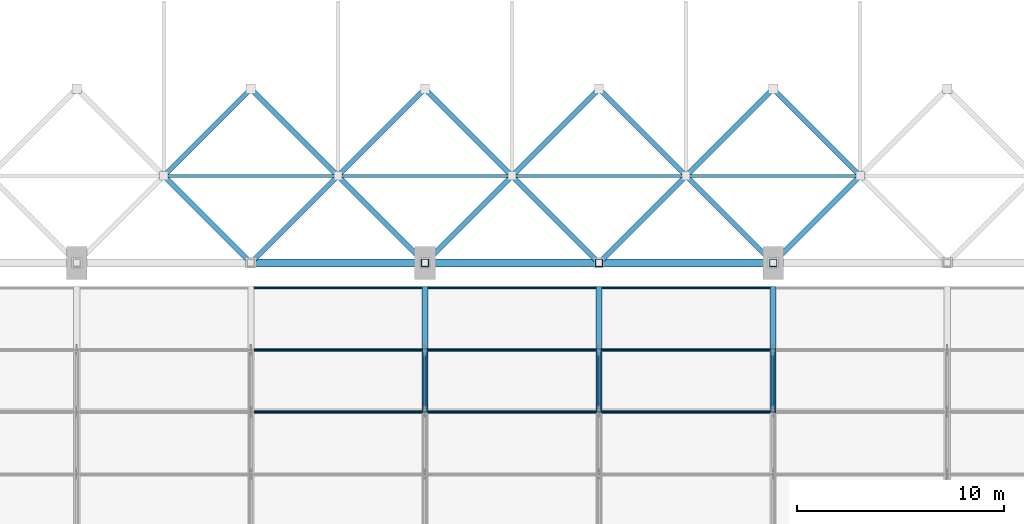
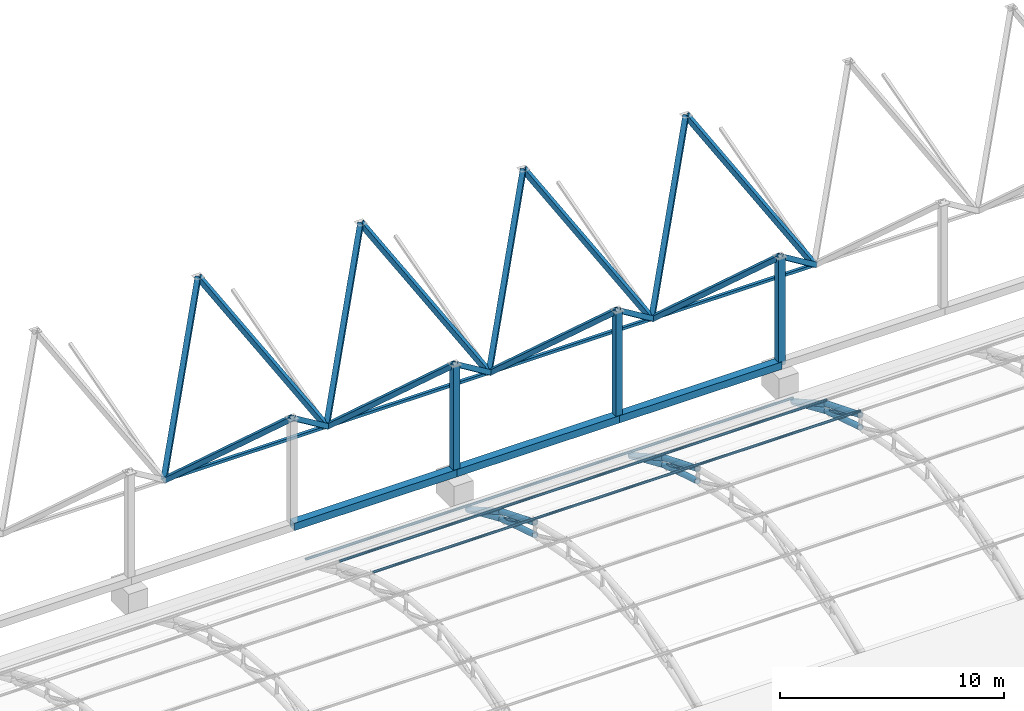
# One storey, part 16 of 163: 50 members.
"""IFC4 building model written with IfcOpenShell, lengths in metres."""

import ifcopenshell
import ifcopenshell.guid

model = None  # the IFC model being written
_history = None  # IfcOwnerHistory: only IFC2X3 demands one
_inside = {}  # id of a spatial element -> (the spatial element, [elements in it])
_under = {}  # id of a project, library or spatial element -> (it, [spatial elements below it])
_declared = {}  # id of a project -> (the project, [libraries it declares])
_typed = {}  # id of a type object -> (the type object, [elements of that type])
_made_of = {}  # id of a material, layer set ... -> (it, [elements and type objects made of it])


def new_model(schema):
    """Start an empty IFC model of exactly this schema.

    Asked for "IFC4X3", IfcOpenShell would pick the latest addendum, in which some entities
    have other attributes; the version numbers below select the first issue.
    IFC2X3 requires an IfcOwnerHistory on every rooted entity: one is made here for all.
    """
    global model, _history
    if schema == "IFC4X3":
        model = ifcopenshell.file(schema_version=(4, 3, 0, 0))
    else:
        model = ifcopenshell.file(schema=schema)
    _inside.clear()
    _under.clear()
    _declared.clear()
    _typed.clear()
    _made_of.clear()
    _history = None
    if model.schema == "IFC2X3":
        org = make("IfcOrganization", Name="unknown")
        user = make(
            "IfcPersonAndOrganization",
            ThePerson=make("IfcPerson", FamilyName="unknown"),
            TheOrganization=org,
        )
        app = make(
            "IfcApplication",
            ApplicationDeveloper=org,
            Version="unknown",
            ApplicationFullName="unknown",
            ApplicationIdentifier="unknown",
        )
        _history = make(
            "IfcOwnerHistory",
            OwningUser=user,
            OwningApplication=app,
            ChangeAction="ADDED",
            CreationDate=0,
        )
    return model


def make(cls, **values):
    """One entity of the class cls with the attributes given. An attribute that is None is left unset."""
    return model.create_entity(
        cls, **{name: value for name, value in values.items() if value is not None}
    )


def rooted(cls, **values):
    """An entity with a GlobalId (a new one), such as an element, a storey or a relation."""
    return make(cls, GlobalId=ifcopenshell.guid.new(), OwnerHistory=_history, **values)


def si_unit(unit_type, name, prefix=None):
    """IfcSIUnit, for example si_unit("LENGTHUNIT", "METRE", prefix="MILLI")."""
    return make("IfcSIUnit", UnitType=unit_type, Prefix=prefix, Name=name)


def assignment(units):
    """IfcUnitAssignment: the units of a project."""
    return None if units is None else make("IfcUnitAssignment", Units=units)


def point(xyz):
    """IfcCartesianPoint."""
    return None if xyz is None else make("IfcCartesianPoint", Coordinates=xyz)


def direction(xyz):
    """IfcDirection."""
    return None if xyz is None else make("IfcDirection", DirectionRatios=xyz)


def frame(location, z_axis=None, x_axis=None):
    """IfcAxis2Placement3D, a coordinate frame: its origin and axes. An axis left out is left unset."""
    return make(
        "IfcAxis2Placement3D",
        Location=point(location),
        Axis=direction(z_axis),
        RefDirection=direction(x_axis),
    )


def frame_2d(location, x_axis=None):
    """IfcAxis2Placement2D, a coordinate frame in the plane: its origin and x axis."""
    return make(
        "IfcAxis2Placement2D", Location=point(location), RefDirection=direction(x_axis)
    )


def origin():
    """The frame at (0, 0, 0) with its axes left unset."""
    return frame((0.0, 0.0, 0.0))


def origin_2d():
    """The frame at (0, 0) in the plane with its x axis left unset."""
    return frame_2d((0.0, 0.0))


def place(relative_to, where):
    """IfcLocalPlacement: puts the frame where relative to a parent placement (None: the world)."""
    return make(
        "IfcLocalPlacement", PlacementRelTo=relative_to, RelativePlacement=where
    )


def context(
    kind, dimensions, precision=None, world=None, true_north=None, identifier=None
):
    """IfcGeometricRepresentationContext, for example the 3D "Model" context."""
    return make(
        "IfcGeometricRepresentationContext",
        ContextIdentifier=identifier,
        ContextType=kind,
        CoordinateSpaceDimension=dimensions,
        Precision=precision,
        WorldCoordinateSystem=world,
        TrueNorth=true_north,
    )


def subcontext(parent, identifier, kind, view, scale=None):
    """IfcGeometricRepresentationSubContext, for example "Body" below "Model"."""
    return make(
        "IfcGeometricRepresentationSubContext",
        ContextIdentifier=identifier,
        ContextType=kind,
        ParentContext=parent,
        TargetScale=scale,
        TargetView=view,
    )


def project(units=None, contexts=None):
    """IfcProject with its units and contexts."""
    return rooted(
        "IfcProject",
        Name="project",
        RepresentationContexts=contexts,
        UnitsInContext=assignment(units),
    )


def spatial(cls, under=None, at=None, **own):
    """A site, building, storey or space (cls), placed at a placement, below another one or the project."""
    s = rooted(cls, ObjectPlacement=at, **own)
    if under is not None:
        _under.setdefault(under.id(), (under, []))[1].append(s)
    return s


def profile(cls, at=None, kind="AREA", **sizes):
    """A parametric profile (cls). Its sizes go by their IFC names, for example OverallWidth=200.0."""
    return make(cls, ProfileType=kind, Position=at, **sizes)


def hollow_rectangle(**sizes):
    """IfcRectangleHollowProfileDef."""
    return profile("IfcRectangleHollowProfileDef", **sizes)


def hollow_circle(**sizes):
    """IfcCircleHollowProfileDef."""
    return profile("IfcCircleHollowProfileDef", **sizes)


def extrude(swept, where, along, depth):
    """IfcExtrudedAreaSolid: the profile swept, set in the frame where, extruded along a direction by depth."""
    return make(
        "IfcExtrudedAreaSolid",
        SweptArea=swept,
        Position=where,
        ExtrudedDirection=direction(along),
        Depth=depth,
    )


def shape(context_of_items, identifier, shape_type, items):
    """IfcShapeRepresentation: the items that make up one representation, for example the "Body"."""
    return make(
        "IfcShapeRepresentation",
        ContextOfItems=context_of_items,
        RepresentationIdentifier=identifier,
        RepresentationType=shape_type,
        Items=items,
    )


def material(Name=None, Category=None):
    """IfcMaterial."""
    return make("IfcMaterial", Name=Name, Category=Category)


def material_profile(
    of_material, cross_section, Name=None, Category=None, Priority=None
):
    """IfcMaterialProfile: a cross section and its material."""
    return make(
        "IfcMaterialProfile",
        Name=Name,
        Material=of_material,
        Profile=cross_section,
        Priority=Priority,
        Category=Category,
    )


def profile_set(profiles, Name=None, composite=None):
    """IfcMaterialProfileSet."""
    return make(
        "IfcMaterialProfileSet",
        Name=Name,
        MaterialProfiles=profiles,
        CompositeProfile=composite,
    )


def made_of(thing, what):
    """Note that an element or type object is made of a material, layer set ...; save() writes the relation."""
    if what is not None:
        _made_of.setdefault(what.id(), (what, []))[1].append(thing)
    return thing


def type_object(cls, material=None, **own):
    """A type object (cls), such as IfcWallType, which elements share."""
    return made_of(rooted(cls, **own), material)


def element(
    cls,
    number,
    at=None,
    inside=None,
    cuts=None,
    type_object=None,
    material=None,
    context=None,
    identifier="Body",
    shape_type=None,
    held_by="IfcProductDefinitionShape",
    body=None,
    shapes=None,
    **own,
):
    """One element of the class cls, such as IfcWall. Its Tag is "e" and its number.

    at: its placement. inside: the storey or other place that contains it. cuts: it is an
    opening in that element (IfcRelVoidsElement). A single representation is given by context,
    identifier, shape_type and body (its items); several are given by shapes. held_by: the class
    of the entity that holds the representations. save() writes the other relations.
    """
    e = rooted(cls, Tag="e%d" % number, ObjectPlacement=at, **own)
    if body is not None:
        shapes = [shape(context, identifier, shape_type, body)]
    if shapes is not None:
        e.Representation = make(held_by, Representations=shapes)
    if inside is not None:
        _inside.setdefault(inside.id(), (inside, []))[1].append(e)
    if cuts is not None:
        rooted(
            "IfcRelVoidsElement", RelatingBuildingElement=cuts, RelatedOpeningElement=e
        )
    if type_object is not None:
        _typed.setdefault(type_object.id(), (type_object, []))[1].append(e)
    return made_of(e, material)


def aggregate(whole, parts):
    """IfcRelAggregates: a whole, such as a stair, and the parts it consists of."""
    return rooted("IfcRelAggregates", RelatingObject=whole, RelatedObjects=parts)


def save(model, path):
    """Write the relations noted so far, then the file.

    IfcRelAggregates (storeys below a building ...), IfcRelContainedInSpatialStructure (elements
    in a storey), IfcRelDefinesByType, IfcRelAssociatesMaterial and IfcRelDeclares: one each for
    every whole, place, type object, material and project.
    """
    for whole, parts in _under.values():
        aggregate(whole, parts)
    for where, things in _inside.values():
        rooted(
            "IfcRelContainedInSpatialStructure",
            RelatedElements=things,
            RelatingStructure=where,
        )
    for kind, things in _typed.values():
        rooted("IfcRelDefinesByType", RelatedObjects=things, RelatingType=kind)
    for what, things in _made_of.values():
        rooted("IfcRelAssociatesMaterial", RelatedObjects=things, RelatingMaterial=what)
    for by, libraries in _declared.values():
        rooted("IfcRelDeclares", RelatingContext=by, RelatedDefinitions=libraries)
    model.write(path)


model = new_model("IFC4")

# Units and contexts
model_context = context("Model", 3, precision=1e-05, world=origin(), true_north=direction((0.0, 1.0)))
body_context = subcontext(model_context, "Body", "Model", "MODEL_VIEW")
ifc_project = project(units=[si_unit("LENGTHUNIT", "METRE"), si_unit("AREAUNIT", "SQUARE_METRE"), si_unit("VOLUMEUNIT", "CUBIC_METRE"), si_unit("PLANEANGLEUNIT", "RADIAN"), si_unit("MASSUNIT", "GRAM", prefix="KILO")], contexts=[model_context])

# Site, building, storey
site_placement = place(None, origin())
site = spatial("IfcSite", under=ifc_project, at=site_placement, CompositionType="ELEMENT")
building_placement = place(site_placement, origin())
building = spatial("IfcBuilding", under=site, at=building_placement, Name="Rain Tree Exposition and Congress Centre", CompositionType="ELEMENT")
storey_placement = place(building_placement, frame((0.0, 0.0, 10.5)))
storey = spatial("IfcBuildingStorey", under=building, at=storey_placement, Name="L02", CompositionType="ELEMENT", Elevation=10.5)

# Members
ifc_material_1 = material(Name="Steel S355J2H", Category="steel")
ifc_material_profile_1 = material_profile(ifc_material_1, hollow_circle(Radius=0.090087890625, WallThickness=0.008056640625, at=origin_2d()), Name="CHS 180x8")
ifc_profile_set_1 = profile_set([ifc_material_profile_1], Name="Steel S355J2H")
member_type_1 = type_object("IfcMemberType", Name="Steel brace member CHS 180x8", PredefinedType="BRACE", material=ifc_profile_set_1)
for number, where, z_axis, x_axis, name in (
    (1, (42.0, 96.60009765625, 1.4423828125), (0.0, -0.880818418444, 0.473454236151), (1.0, 0.0, 0.0), "Roof truss 6 diagonal 6"),
    (2, (50.39990234375, 96.60009765625, 1.4423828125), (0.0, -0.880818418444, 0.473454236151), (1.0, 0.0, 0.0), "Roof truss 7 diagonal 6"),
    (3, (58.800048828125, 96.60009765625, 1.4423828125), (0.0, -0.880818418444, 0.473454236151), (1.0, 0.0, 0.0), "Roof truss 8 diagonal 6"),
):
    element("IfcMember", number, at=place(storey_placement, frame(where, z_axis=z_axis, x_axis=x_axis)), inside=storey, type_object=member_type_1, Name=name, PredefinedType="BRACE", context=body_context, shape_type="SweptSolid", body=[
        extrude(hollow_circle(Radius=0.090087890625, WallThickness=0.008056640625, at=origin_2d()), origin(), (0.0, 0.0, 1.0), 3.406005859375),
    ])
ifc_material_2 = material(Name="Steel S355J2H", Category="steel")
ifc_material_profile_2 = material_profile(ifc_material_2, hollow_rectangle(XDim=0.25, YDim=0.25, WallThickness=0.006103515625, at=origin_2d()), Name="RHS 250x250x6")
ifc_profile_set_2 = profile_set([ifc_material_profile_2], Name="Steel S355J2H")
member_type_2 = type_object("IfcMemberType", Name="Steel brace member RHS 250x250x6", PredefinedType="BRACE", material=ifc_profile_set_2)
member_1_placement = place(storey_placement, frame((29.39990234375, 105.0, 2.87353515625), z_axis=(0.564709499992, -0.564676675678, 0.601866623567), x_axis=(0.70708622964, 0.707127332136, 0.0)))
element("IfcMember", 4, at=member_1_placement, inside=storey, type_object=member_type_2, Name="Diagonal 376", PredefinedType="BRACE", context=body_context, shape_type="SweptSolid", body=[
    extrude(hollow_rectangle(XDim=0.25, YDim=0.25, WallThickness=0.006103515625, at=origin_2d()), origin(), (0.0, 0.0, 1.0), 7.437744140625),
])
member_2_placement = place(storey_placement, frame((29.39990234375, 105.0, 2.87353515625), z_axis=(0.453987384881, 0.453960996403, 0.766690855635), x_axis=(-0.70708622964, 0.707127332136, 0.0)))
element("IfcMember", 5, at=member_2_placement, inside=storey, type_object=member_type_2, Name="Diagonal 378", PredefinedType="BRACE", context=body_context, shape_type="SweptSolid", body=[
    extrude(hollow_rectangle(XDim=0.25, YDim=0.25, WallThickness=0.006103515625, at=origin_2d()), origin(), (0.0, 0.0, 1.0), 9.251708984375),
])
for number, where, z_axis, x_axis, name in (
    (6, (37.800048828125, 105.0, 2.87353515625), (-0.564687142626, -0.564687142626, 0.601877779875), (0.707106781187, -0.707106781187, 0.0), "Diagonal 381"),
    (7, (37.800048828125, 105.0, 2.87353515625), (0.564687142626, -0.564687142626, 0.601877779875), (0.707106781187, 0.707106781187, 0.0), "Diagonal 382"),
):
    element("IfcMember", number, at=place(storey_placement, frame(where, z_axis=z_axis, x_axis=x_axis)), inside=storey, type_object=member_type_2, Name=name, PredefinedType="BRACE", context=body_context, shape_type="SweptSolid", body=[
        extrude(hollow_rectangle(XDim=0.25, YDim=0.25, WallThickness=0.006103515625, at=origin_2d()), origin(), (0.0, 0.0, 1.0), 7.437744140625),
    ])
for number, where, z_axis, x_axis, name in (
    (8, (37.800048828125, 105.0, 2.87353515625), (-0.453966434812, 0.453966434812, 0.766700040517), (-0.707106781187, -0.707106781187, 0.0), "Diagonal 383"),
    (9, (37.800048828125, 105.0, 2.87353515625), (0.453966434812, 0.453966434812, 0.766700040517), (-0.707106781187, 0.707106781187, 0.0), "Diagonal 384"),
):
    element("IfcMember", number, at=place(storey_placement, frame(where, z_axis=z_axis, x_axis=x_axis)), inside=storey, type_object=member_type_2, Name=name, PredefinedType="BRACE", context=body_context, shape_type="SweptSolid", body=[
        extrude(hollow_rectangle(XDim=0.25, YDim=0.25, WallThickness=0.006103515625, at=origin_2d()), origin(), (0.0, 0.0, 1.0), 9.251708984375),
    ])
for number, where, z_axis, x_axis, name in (
    (10, (46.199951171875, 105.0, 2.87353515625), (-0.564687142626, -0.564687142626, 0.601877779875), (0.707106781187, -0.707106781187, 0.0), "Diagonal 387"),
    (11, (46.199951171875, 105.0, 2.87353515625), (0.564687142626, -0.564687142626, 0.601877779875), (0.707106781187, 0.707106781187, 0.0), "Diagonal 388"),
):
    element("IfcMember", number, at=place(storey_placement, frame(where, z_axis=z_axis, x_axis=x_axis)), inside=storey, type_object=member_type_2, Name=name, PredefinedType="BRACE", context=body_context, shape_type="SweptSolid", body=[
        extrude(hollow_rectangle(XDim=0.25, YDim=0.25, WallThickness=0.006103515625, at=origin_2d()), origin(), (0.0, 0.0, 1.0), 7.437744140625),
    ])
for number, where, z_axis, x_axis, name in (
    (12, (46.199951171875, 105.0, 2.87353515625), (-0.453966434812, 0.453966434812, 0.766700040517), (-0.707106781187, -0.707106781187, 0.0), "Diagonal 389"),
    (13, (46.199951171875, 105.0, 2.87353515625), (0.453966434812, 0.453966434812, 0.766700040517), (-0.707106781187, 0.707106781187, 0.0), "Diagonal 390"),
):
    element("IfcMember", number, at=place(storey_placement, frame(where, z_axis=z_axis, x_axis=x_axis)), inside=storey, type_object=member_type_2, Name=name, PredefinedType="BRACE", context=body_context, shape_type="SweptSolid", body=[
        extrude(hollow_rectangle(XDim=0.25, YDim=0.25, WallThickness=0.006103515625, at=origin_2d()), origin(), (0.0, 0.0, 1.0), 9.251708984375),
    ])
for number, where, z_axis, x_axis, name in (
    (14, (54.60009765625, 105.0, 2.87353515625), (-0.564709499992, -0.564676675678, 0.601866623567), (0.70708622964, -0.707127332136, 0.0), "Diagonal 393"),
    (15, (54.60009765625, 105.0, 2.87353515625), (0.564687142626, -0.564687142626, 0.601877779875), (0.707106781187, 0.707106781187, 0.0), "Diagonal 394"),
):
    element("IfcMember", number, at=place(storey_placement, frame(where, z_axis=z_axis, x_axis=x_axis)), inside=storey, type_object=member_type_2, Name=name, PredefinedType="BRACE", context=body_context, shape_type="SweptSolid", body=[
        extrude(hollow_rectangle(XDim=0.25, YDim=0.25, WallThickness=0.006103515625, at=origin_2d()), origin(), (0.0, 0.0, 1.0), 7.437744140625),
    ])
for number, where, z_axis, x_axis, name in (
    (16, (54.60009765625, 105.0, 2.87353515625), (-0.453987384881, 0.453960996403, 0.766690855635), (-0.70708622964, -0.707127332136, 0.0), "Diagonal 395"),
    (17, (54.60009765625, 105.0, 2.87353515625), (0.453966434812, 0.453966434812, 0.766700040517), (-0.707106781187, 0.707106781187, 0.0), "Diagonal 396"),
):
    element("IfcMember", number, at=place(storey_placement, frame(where, z_axis=z_axis, x_axis=x_axis)), inside=storey, type_object=member_type_2, Name=name, PredefinedType="BRACE", context=body_context, shape_type="SweptSolid", body=[
        extrude(hollow_rectangle(XDim=0.25, YDim=0.25, WallThickness=0.006103515625, at=origin_2d()), origin(), (0.0, 0.0, 1.0), 9.251708984375),
    ])
member_3_placement = place(storey_placement, frame((63.0, 105.0, 2.87353515625), z_axis=(-0.564687142626, -0.564687142626, 0.601877779875), x_axis=(0.707106781187, -0.707106781187, 0.0)))
element("IfcMember", 18, at=member_3_placement, inside=storey, type_object=member_type_2, Name="Diagonal 399", PredefinedType="BRACE", context=body_context, shape_type="SweptSolid", body=[
    extrude(hollow_rectangle(XDim=0.25, YDim=0.25, WallThickness=0.006103515625, at=origin_2d()), origin(), (0.0, 0.0, 1.0), 7.437744140625),
])
member_4_placement = place(storey_placement, frame((63.0, 105.0, 2.87353515625), z_axis=(-0.453966434812, 0.453966434812, 0.766700040517), x_axis=(-0.707106781187, -0.707106781187, 0.0)))
element("IfcMember", 19, at=member_4_placement, inside=storey, type_object=member_type_2, Name="Diagonal 401", PredefinedType="BRACE", context=body_context, shape_type="SweptSolid", body=[
    extrude(hollow_rectangle(XDim=0.25, YDim=0.25, WallThickness=0.006103515625, at=origin_2d()), origin(), (0.0, 0.0, 1.0), 9.251708984375),
])
ifc_material_3 = material(Name="Steel S355J2H", Category="steel")
ifc_material_profile_3 = material_profile(ifc_material_3, hollow_circle(Radius=0.14990234375, WallThickness=0.013916015625, at=origin_2d()), Name="CHS 300x14")
ifc_profile_set_3 = profile_set([ifc_material_profile_3], Name="Steel S355J2H")
member_type_3 = type_object("IfcMemberType", Name="Steel chord member CHS 300x14", PredefinedType="CHORD", material=ifc_profile_set_3)
member_5_placement = place(storey_placement, frame((42.0, 93.60009765625, 3.054931640625), z_axis=(0.0, 0.926466577122, -0.376377046956), x_axis=(-1.0, 0.0, 0.0)))
element("IfcMember", 20, at=member_5_placement, inside=storey, type_object=member_type_3, Name="Roof truss 6 top chord 7", PredefinedType="CHORD", context=body_context, shape_type="SweptSolid", body=[
    extrude(hollow_circle(Radius=0.14990234375, WallThickness=0.013916015625, at=origin_2d()), origin(), (0.0, 0.0, 1.0), 3.238037109375),
])
member_6_placement = place(storey_placement, frame((42.0, 93.60009765625, 2.3798828125), z_axis=(0.0, 0.954479978035, -0.298274993136), x_axis=(-1.0, 0.0, 0.0)))
element("IfcMember", 21, at=member_6_placement, inside=storey, type_object=member_type_3, Name="Roof truss 6 bottom chord 7", PredefinedType="CHORD", context=body_context, shape_type="SweptSolid", body=[
    extrude(hollow_circle(Radius=0.14990234375, WallThickness=0.013916015625, at=origin_2d()), origin(), (0.0, 0.0, 1.0), 3.14306640625),
])
member_7_placement = place(storey_placement, frame((42.0, 96.60009765625, 1.836181640625), z_axis=(0.0, 0.869238262324, -0.494393409455), x_axis=(-1.0, 0.0, 0.0)))
element("IfcMember", 22, at=member_7_placement, inside=storey, type_object=member_type_3, Name="Roof truss 6 top chord 8", PredefinedType="CHORD", context=body_context, shape_type="SweptSolid", body=[
    extrude(hollow_circle(Radius=0.14990234375, WallThickness=0.013916015625, at=origin_2d()), origin(), (0.0, 0.0, 1.0), 3.451416015625),
])
member_8_placement = place(storey_placement, frame((42.0, 96.60009765625, 1.4423828125), z_axis=(0.0, 0.916157334902, -0.40081883402), x_axis=(-1.0, 0.0, 0.0)))
element("IfcMember", 23, at=member_8_placement, inside=storey, type_object=member_type_3, Name="Roof truss 6 bottom chord 8", PredefinedType="CHORD", context=body_context, shape_type="SweptSolid", body=[
    extrude(hollow_circle(Radius=0.14990234375, WallThickness=0.013916015625, at=origin_2d()), origin(), (0.0, 0.0, 1.0), 3.274658203125),
])
member_9_placement = place(storey_placement, frame((50.39990234375, 93.60009765625, 3.054931640625), z_axis=(0.0, 0.926466577122, -0.376377046956), x_axis=(-1.0, 0.0, 0.0)))
element("IfcMember", 24, at=member_9_placement, inside=storey, type_object=member_type_3, Name="Roof truss 7 top chord 7", PredefinedType="CHORD", context=body_context, shape_type="SweptSolid", body=[
    extrude(hollow_circle(Radius=0.14990234375, WallThickness=0.013916015625, at=origin_2d()), origin(), (0.0, 0.0, 1.0), 3.238037109375),
])
member_10_placement = place(storey_placement, frame((50.39990234375, 93.60009765625, 2.3798828125), z_axis=(0.0, 0.954479978035, -0.298274993136), x_axis=(-1.0, 0.0, 0.0)))
element("IfcMember", 25, at=member_10_placement, inside=storey, type_object=member_type_3, Name="Roof truss 7 bottom chord 7", PredefinedType="CHORD", context=body_context, shape_type="SweptSolid", body=[
    extrude(hollow_circle(Radius=0.14990234375, WallThickness=0.013916015625, at=origin_2d()), origin(), (0.0, 0.0, 1.0), 3.14306640625),
])
member_11_placement = place(storey_placement, frame((50.39990234375, 96.60009765625, 1.836181640625), z_axis=(0.0, 0.869238262324, -0.494393409455), x_axis=(-1.0, 0.0, 0.0)))
element("IfcMember", 26, at=member_11_placement, inside=storey, type_object=member_type_3, Name="Roof truss 7 top chord 8", PredefinedType="CHORD", context=body_context, shape_type="SweptSolid", body=[
    extrude(hollow_circle(Radius=0.14990234375, WallThickness=0.013916015625, at=origin_2d()), origin(), (0.0, 0.0, 1.0), 3.451416015625),
])
member_12_placement = place(storey_placement, frame((50.39990234375, 96.60009765625, 1.4423828125), z_axis=(0.0, 0.916157334902, -0.40081883402), x_axis=(-1.0, 0.0, 0.0)))
element("IfcMember", 27, at=member_12_placement, inside=storey, type_object=member_type_3, Name="Roof truss 7 bottom chord 8", PredefinedType="CHORD", context=body_context, shape_type="SweptSolid", body=[
    extrude(hollow_circle(Radius=0.14990234375, WallThickness=0.013916015625, at=origin_2d()), origin(), (0.0, 0.0, 1.0), 3.274658203125),
])
member_13_placement = place(storey_placement, frame((58.800048828125, 93.60009765625, 3.054931640625), z_axis=(0.0, 0.926466577122, -0.376377046956), x_axis=(-1.0, 0.0, 0.0)))
element("IfcMember", 28, at=member_13_placement, inside=storey, type_object=member_type_3, Name="Roof truss 8 top chord 7", PredefinedType="CHORD", context=body_context, shape_type="SweptSolid", body=[
    extrude(hollow_circle(Radius=0.14990234375, WallThickness=0.013916015625, at=origin_2d()), origin(), (0.0, 0.0, 1.0), 3.238037109375),
])
member_14_placement = place(storey_placement, frame((58.800048828125, 93.60009765625, 2.3798828125), z_axis=(0.0, 0.954479978035, -0.298274993136), x_axis=(-1.0, 0.0, 0.0)))
element("IfcMember", 29, at=member_14_placement, inside=storey, type_object=member_type_3, Name="Roof truss 8 bottom chord 7", PredefinedType="CHORD", context=body_context, shape_type="SweptSolid", body=[
    extrude(hollow_circle(Radius=0.14990234375, WallThickness=0.013916015625, at=origin_2d()), origin(), (0.0, 0.0, 1.0), 3.14306640625),
])
member_15_placement = place(storey_placement, frame((58.800048828125, 96.60009765625, 1.836181640625), z_axis=(0.0, 0.869238262324, -0.494393409455), x_axis=(-1.0, 0.0, 0.0)))
element("IfcMember", 30, at=member_15_placement, inside=storey, type_object=member_type_3, Name="Roof truss 8 top chord 8", PredefinedType="CHORD", context=body_context, shape_type="SweptSolid", body=[
    extrude(hollow_circle(Radius=0.14990234375, WallThickness=0.013916015625, at=origin_2d()), origin(), (0.0, 0.0, 1.0), 3.451416015625),
])
member_16_placement = place(storey_placement, frame((58.800048828125, 96.60009765625, 1.4423828125), z_axis=(0.0, 0.916157334902, -0.40081883402), x_axis=(-1.0, 0.0, 0.0)))
element("IfcMember", 31, at=member_16_placement, inside=storey, type_object=member_type_3, Name="Roof truss 8 bottom chord 8", PredefinedType="CHORD", context=body_context, shape_type="SweptSolid", body=[
    extrude(hollow_circle(Radius=0.14990234375, WallThickness=0.013916015625, at=origin_2d()), origin(), (0.0, 0.0, 1.0), 3.274658203125),
])
ifc_material_4 = material(Name="Steel S355J2H", Category="steel")
ifc_material_profile_4 = material_profile(ifc_material_4, hollow_rectangle(XDim=0.14990234375, YDim=0.14990234375, WallThickness=0.00439453125, at=origin_2d()), Name="RHS 150x150x4.5")
ifc_profile_set_4 = profile_set([ifc_material_profile_4], Name="Steel S355J2H")
member_type_4 = type_object("IfcMemberType", Name="Steel chord member RHS 150x150x4.5", PredefinedType="CHORD", material=ifc_profile_set_4)
member_17_placement = place(storey_placement, frame((29.39990234375, 105.0, 2.87353515625), z_axis=(1.0, 0.0, 0.0), x_axis=(0.0, 1.0, 0.0)))
element("IfcMember", 32, at=member_17_placement, inside=storey, type_object=member_type_4, Name="Bottom chord 379", PredefinedType="CHORD", context=body_context, shape_type="SweptSolid", body=[
    extrude(hollow_rectangle(XDim=0.14990234375, YDim=0.14990234375, WallThickness=0.00439453125, at=origin_2d()), origin(), (0.0, 0.0, 1.0), 8.400146484375),
])
member_18_placement = place(storey_placement, frame((37.800048828125, 105.0, 2.87353515625), z_axis=(1.0, 0.0, 0.0), x_axis=(0.0, 1.0, 0.0)))
element("IfcMember", 33, at=member_18_placement, inside=storey, type_object=member_type_4, Name="Bottom chord 385", PredefinedType="CHORD", context=body_context, shape_type="SweptSolid", body=[
    extrude(hollow_rectangle(XDim=0.14990234375, YDim=0.14990234375, WallThickness=0.00439453125, at=origin_2d()), origin(), (0.0, 0.0, 1.0), 8.39990234375),
])
member_19_placement = place(storey_placement, frame((46.199951171875, 105.0, 2.87353515625), z_axis=(1.0, 0.0, 0.0), x_axis=(0.0, 1.0, 0.0)))
element("IfcMember", 34, at=member_19_placement, inside=storey, type_object=member_type_4, Name="Bottom chord 391", PredefinedType="CHORD", context=body_context, shape_type="SweptSolid", body=[
    extrude(hollow_rectangle(XDim=0.14990234375, YDim=0.14990234375, WallThickness=0.00439453125, at=origin_2d()), origin(), (0.0, 0.0, 1.0), 8.400146484375),
])
member_20_placement = place(storey_placement, frame((54.60009765625, 105.0, 2.87353515625), z_axis=(1.0, 0.0, 0.0), x_axis=(0.0, 1.0, 0.0)))
element("IfcMember", 35, at=member_20_placement, inside=storey, type_object=member_type_4, Name="Bottom chord 397", PredefinedType="CHORD", context=body_context, shape_type="SweptSolid", body=[
    extrude(hollow_rectangle(XDim=0.14990234375, YDim=0.14990234375, WallThickness=0.00439453125, at=origin_2d()), origin(), (0.0, 0.0, 1.0), 8.39990234375),
])
ifc_material_5 = material(Name="Steel S355J2H", Category="steel")
ifc_material_profile_5 = material_profile(ifc_material_5, hollow_rectangle(XDim=0.39990234375, YDim=0.39990234375, WallThickness=0.011962890625, at=origin_2d()), Name="RHS 400x400x12")
ifc_profile_set_5 = profile_set([ifc_material_profile_5], Name="Steel S355J2H")
member_type_5 = type_object("IfcMemberType", Name="Steel chord member RHS 400x400x12", PredefinedType="CHORD", material=ifc_profile_set_5)
for number, where, z_axis, x_axis, name in (
    (36, (33.60009765625, 100.800048828125, 1.5), (1.0, 0.0, 0.0), (0.0, 1.0, 0.0), "Eaves chord 1348"),
    (37, (42.0, 100.800048828125, 1.5), (1.0, 0.0, 0.0), (0.0, 1.0, 0.0), "Eaves chord 1349"),
):
    element("IfcMember", number, at=place(storey_placement, frame(where, z_axis=z_axis, x_axis=x_axis)), inside=storey, type_object=member_type_5, Name=name, PredefinedType="CHORD", context=body_context, shape_type="SweptSolid", body=[
        extrude(hollow_rectangle(XDim=0.39990234375, YDim=0.39990234375, WallThickness=0.011962890625, at=origin_2d()), origin(), (0.0, 0.0, 1.0), 8.39990234375),
    ])
member_21_placement = place(storey_placement, frame((50.39990234375, 100.800048828125, 1.5), z_axis=(1.0, 0.0, 0.0), x_axis=(0.0, 1.0, 0.0)))
element("IfcMember", 38, at=member_21_placement, inside=storey, type_object=member_type_5, Name="Eaves chord 1350", PredefinedType="CHORD", context=body_context, shape_type="SweptSolid", body=[
    extrude(hollow_rectangle(XDim=0.39990234375, YDim=0.39990234375, WallThickness=0.011962890625, at=origin_2d()), origin(), (0.0, 0.0, 1.0), 8.400146484375),
])
ifc_material_6 = material(Name="Steel S355J2H", Category="steel")
ifc_material_profile_6 = material_profile(ifc_material_6, hollow_rectangle(XDim=0.35009765625, YDim=0.35009765625, WallThickness=0.009033203125, at=origin_2d()), Name="RHS 350x350x9")
ifc_profile_set_6 = profile_set([ifc_material_profile_6], Name="Steel S355J2H")
member_type_6 = type_object("IfcMemberType", Name="Steel post member RHS 350x350x9", PredefinedType="POST", material=ifc_profile_set_6)
for number, where, z_axis, x_axis, name in (
    (39, (42.0, 100.800048828125, 1.5), (0.0, 0.0, 1.0), (1.0, 0.0, 0.0), "Eaves post 1363"),
    (40, (50.39990234375, 100.800048828125, 1.5), (0.0, 0.0, 1.0), (1.0, 0.0, 0.0), "Eaves post 1364"),
    (41, (58.800048828125, 100.800048828125, 1.5), (0.0, 0.0, 1.0), (1.0, 0.0, 0.0), "Eaves post 1365"),
):
    element("IfcMember", number, at=place(storey_placement, frame(where, z_axis=z_axis, x_axis=x_axis)), inside=storey, type_object=member_type_6, Name=name, PredefinedType="POST", context=body_context, shape_type="SweptSolid", body=[
        extrude(hollow_rectangle(XDim=0.35009765625, YDim=0.35009765625, WallThickness=0.009033203125, at=origin_2d()), origin(), (0.0, 0.0, 1.0), 5.85009765625),
    ])
ifc_material_7 = material(Name="Steel S355J2H", Category="steel")
ifc_material_profile_7 = material_profile(ifc_material_7, hollow_circle(Radius=0.070068359375, WallThickness=0.006103515625, at=origin_2d()), Name="CHS 140x6")
ifc_profile_set_7 = profile_set([ifc_material_profile_7], Name="Steel S355J2H")
member_type_7 = type_object("IfcMemberType", Name="Steel purlin member CHS 140x6", PredefinedType="PURLIN", material=ifc_profile_set_7)
for number, where, z_axis, x_axis, name in (
    (42, (33.60009765625, 93.60009765625, 3.27490234375), (1.0, 0.0, 0.0), (0.0, 1.0, 0.0), "Roof purlin 7.5"),
    (43, (42.0, 93.60009765625, 3.27490234375), (1.0, 0.0, 0.0), (0.0, 1.0, 0.0), "Roof purlin 7.6"),
):
    element("IfcMember", number, at=place(storey_placement, frame(where, z_axis=z_axis, x_axis=x_axis)), inside=storey, type_object=member_type_7, Name=name, PredefinedType="PURLIN", context=body_context, shape_type="SweptSolid", body=[
        extrude(hollow_circle(Radius=0.070068359375, WallThickness=0.006103515625, at=origin_2d()), origin(), (0.0, 0.0, 1.0), 8.39990234375),
    ])
member_22_placement = place(storey_placement, frame((50.39990234375, 93.60009765625, 3.27490234375), z_axis=(1.0, 0.0, 0.0), x_axis=(0.0, 1.0, 0.0)))
element("IfcMember", 44, at=member_22_placement, inside=storey, type_object=member_type_7, Name="Roof purlin 7.7", PredefinedType="PURLIN", context=body_context, shape_type="SweptSolid", body=[
    extrude(hollow_circle(Radius=0.070068359375, WallThickness=0.006103515625, at=origin_2d()), origin(), (0.0, 0.0, 1.0), 8.400146484375),
])
for number, where, z_axis, x_axis, name in (
    (45, (33.60009765625, 96.60009765625, 2.056396484375), (1.0, 0.0, 0.0), (0.0, 1.0, 0.0), "Roof purlin 8.5"),
    (46, (42.0, 96.60009765625, 2.056396484375), (1.0, 0.0, 0.0), (0.0, 1.0, 0.0), "Roof purlin 8.6"),
):
    element("IfcMember", number, at=place(storey_placement, frame(where, z_axis=z_axis, x_axis=x_axis)), inside=storey, type_object=member_type_7, Name=name, PredefinedType="PURLIN", context=body_context, shape_type="SweptSolid", body=[
        extrude(hollow_circle(Radius=0.070068359375, WallThickness=0.006103515625, at=origin_2d()), origin(), (0.0, 0.0, 1.0), 8.39990234375),
    ])
member_23_placement = place(storey_placement, frame((50.39990234375, 96.60009765625, 2.056396484375), z_axis=(1.0, 0.0, 0.0), x_axis=(0.0, 1.0, 0.0)))
element("IfcMember", 47, at=member_23_placement, inside=storey, type_object=member_type_7, Name="Roof purlin 8.7", PredefinedType="PURLIN", context=body_context, shape_type="SweptSolid", body=[
    extrude(hollow_circle(Radius=0.070068359375, WallThickness=0.006103515625, at=origin_2d()), origin(), (0.0, 0.0, 1.0), 8.400146484375),
])
for number, where, z_axis, x_axis, name in (
    (48, (33.60009765625, 99.60009765625, 0.35009765625), (1.0, 0.0, 0.0), (0.0, 1.0, 0.0), "Roof purlin 9.5"),
    (49, (42.0, 99.60009765625, 0.35009765625), (1.0, 0.0, 0.0), (0.0, 1.0, 0.0), "Roof purlin 9.6"),
):
    element("IfcMember", number, at=place(storey_placement, frame(where, z_axis=z_axis, x_axis=x_axis)), inside=storey, type_object=member_type_7, Name=name, PredefinedType="PURLIN", context=body_context, shape_type="SweptSolid", body=[
        extrude(hollow_circle(Radius=0.070068359375, WallThickness=0.006103515625, at=origin_2d()), origin(), (0.0, 0.0, 1.0), 8.39990234375),
    ])
member_24_placement = place(storey_placement, frame((50.39990234375, 99.60009765625, 0.35009765625), z_axis=(1.0, 0.0, 0.0), x_axis=(0.0, 1.0, 0.0)))
element("IfcMember", 50, at=member_24_placement, inside=storey, type_object=member_type_7, Name="Roof purlin 9.7", PredefinedType="PURLIN", context=body_context, shape_type="SweptSolid", body=[
    extrude(hollow_circle(Radius=0.070068359375, WallThickness=0.006103515625, at=origin_2d()), origin(), (0.0, 0.0, 1.0), 8.400146484375),
])

save(model, "model.ifc")
